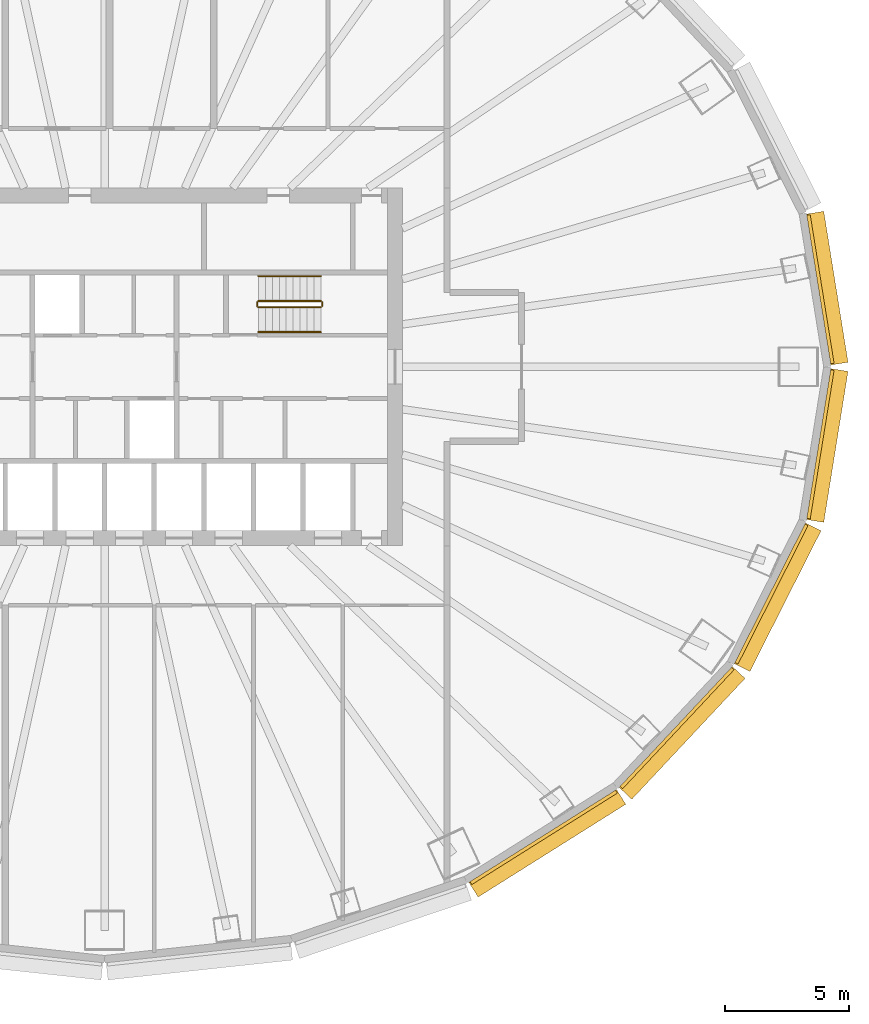
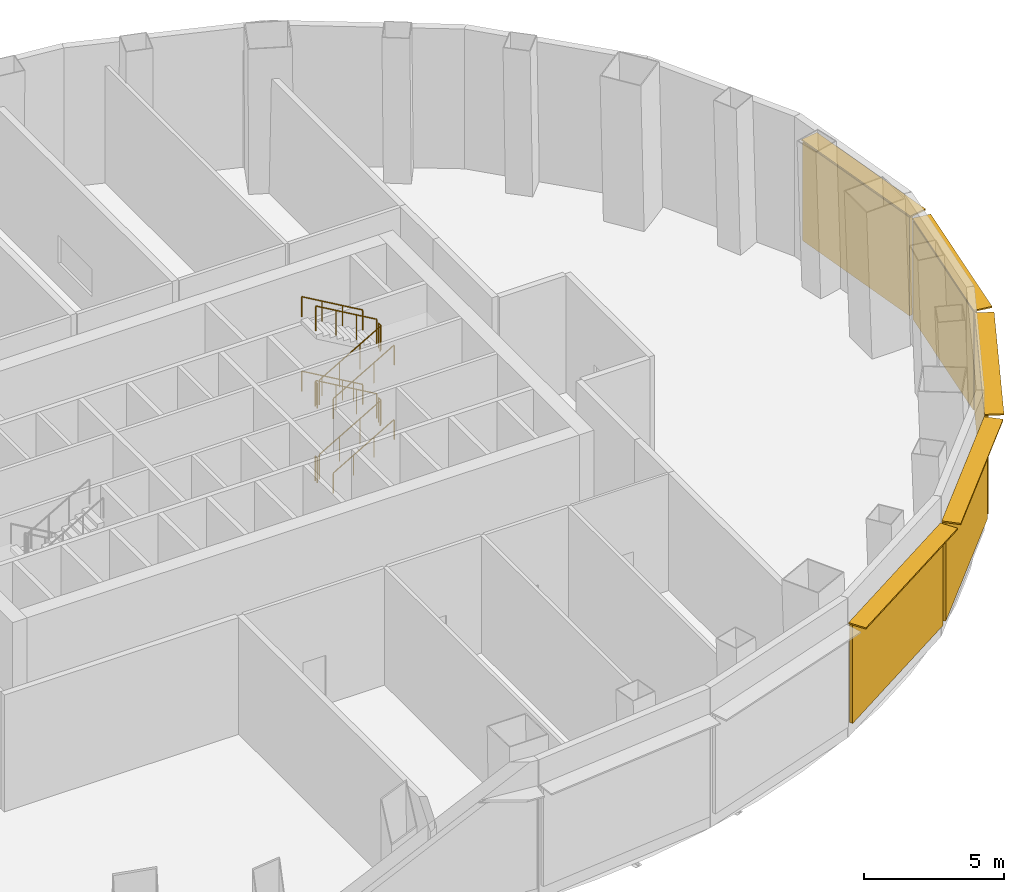
# One storey, part 8 of 9: 12 railings, 10 shading devices.
"""IFC4 building model written with IfcOpenShell, lengths in metres."""

from ifc_helpers import new_model, si_unit, direction, frame, origin, origin_2d, place, context, subcontext, project, spatial, rectangle, circle, extrude, material, layer, layer_set, type_object, element, save


model = new_model("IFC4")

# Units and contexts
model_context = context("Model", 3, precision=1e-05, world=origin(), true_north=direction((0.0, 1.0)))
body_context = subcontext(model_context, "Body", "Model", "MODEL_VIEW")
ifc_project = project(units=[si_unit("LENGTHUNIT", "METRE"), si_unit("AREAUNIT", "SQUARE_METRE"), si_unit("VOLUMEUNIT", "CUBIC_METRE"), si_unit("PLANEANGLEUNIT", "RADIAN"), si_unit("MASSUNIT", "GRAM", prefix="KILO")], contexts=[model_context])

# Site, building, storey
site_placement = place(None, origin())
site = spatial("IfcSite", under=ifc_project, at=site_placement, CompositionType="ELEMENT")
building_placement = place(site_placement, origin())
building = spatial("IfcBuilding", under=site, at=building_placement, Name="Siaravel Broadcast Tower", CompositionType="ELEMENT")
storey_placement = place(building_placement, frame((0.0, 0.0, 13.5)))
storey = spatial("IfcBuildingStorey", under=building, at=storey_placement, Name="L02", CompositionType="ELEMENT", Elevation=13.5)

# Shading devices
ifc_material_1 = material(Name="Bronze anodised aluminium", Category="aluminium")
ifc_layer_1 = layer(ifc_material_1, 0.06005859375)
ifc_layer_set_1 = layer_set([ifc_layer_1], Name="Bronze anodised aluminium")
shading_device_type_1 = type_object("IfcShadingDeviceType", Name="Brise-soleil band", PredefinedType="USERDEFINED", material=ifc_layer_set_1)
shading_device_1_placement = place(storey_placement, frame((29.1201171875, 3.168701171875, 4.929931640625), z_axis=(0.0, 0.0, 1.0), x_axis=(-0.158685394, 0.987329198, 0.0)))
element("IfcShadingDevice", 1, at=shading_device_1_placement, inside=storey, type_object=shading_device_type_1, Name="L02 brise-soleil band 01", ObjectType="SUNSHADE", PredefinedType="USERDEFINED", context=body_context, shape_type="SweptSolid", body=[
    extrude(rectangle(XDim=6.15869140625, YDim=0.699951171875, at=origin_2d()), origin(), (0.0, 0.0, 1.0), 0.06005859375),
])
shading_device_2_placement = place(storey_placement, frame((17.83984375, -19.1962890625, 4.929931640625), z_axis=(0.0, 0.0, 1.0), x_axis=(0.846650436, 0.532149452, 0.0)))
element("IfcShadingDevice", 2, at=shading_device_2_placement, inside=storey, type_object=shading_device_type_1, Name="L02 brise-soleil band 21", ObjectType="SUNSHADE", PredefinedType="USERDEFINED", context=body_context, shape_type="SweptSolid", body=[
    extrude(rectangle(XDim=7.0244140625, YDim=0.699951171875, at=origin_2d()), origin(), (0.0, 0.0, 1.0), 0.06005859375),
])
shading_device_3_placement = place(storey_placement, frame((23.26904296875, -14.748291015625, 4.929931640625), z_axis=(0.0, 0.0, 1.0), x_axis=(0.683655992, 0.729804415, 0.0)))
element("IfcShadingDevice", 3, at=shading_device_3_placement, inside=storey, type_object=shading_device_type_1, Name="L02 brise-soleil band 22", ObjectType="SUNSHADE", PredefinedType="USERDEFINED", context=body_context, shape_type="SweptSolid", body=[
    extrude(rectangle(XDim=6.672119140625, YDim=0.699951171875, at=origin_2d()), origin(), (0.0, 0.0, 1.0), 0.06005859375),
])
shading_device_4_placement = place(storey_placement, frame((27.12060546875, -9.28271484375, 4.929931640625), z_axis=(0.0, 0.0, 1.0), x_axis=(0.451262289, 0.892391364, 0.0)))
element("IfcShadingDevice", 4, at=shading_device_4_placement, inside=storey, type_object=shading_device_type_1, Name="L02 brise-soleil band 23", ObjectType="SUNSHADE", PredefinedType="USERDEFINED", context=body_context, shape_type="SweptSolid", body=[
    extrude(rectangle(XDim=6.351318359375, YDim=0.699951171875, at=origin_2d()), origin(), (0.0, 0.0, 1.0), 0.06005859375),
])
shading_device_5_placement = place(storey_placement, frame((29.1201171875, -3.168701171875, 4.929931640625), z_axis=(0.0, 0.0, 1.0), x_axis=(0.158685394, 0.987329198, 0.0)))
element("IfcShadingDevice", 5, at=shading_device_5_placement, inside=storey, type_object=shading_device_type_1, Name="L02 brise-soleil band 24", ObjectType="SUNSHADE", PredefinedType="USERDEFINED", context=body_context, shape_type="SweptSolid", body=[
    extrude(rectangle(XDim=6.15869140625, YDim=0.699951171875, at=origin_2d()), origin(), (0.0, 0.0, 1.0), 0.06005859375),
])
ifc_material_2 = material(Name="Precast concrete C40/50", Category="concrete")
ifc_layer_2 = layer(ifc_material_2, 0.139892578125)
ifc_layer_set_2 = layer_set([ifc_layer_2], Name="Precast concrete C40/50")
shading_device_type_2 = type_object("IfcShadingDeviceType", Name="Cobogo screen", PredefinedType="USERDEFINED", material=ifc_layer_set_2)
shading_device_6_placement = place(storey_placement, frame((28.843505859375, 3.124267578125, 0.60009765625), z_axis=(0.0, 0.0, 1.0), x_axis=(-0.158685394, 0.987329198, 0.0)))
element("IfcShadingDevice", 6, at=shading_device_6_placement, inside=storey, type_object=shading_device_type_2, Name="L02 cobogo screen 01", ObjectType="SCREEN", PredefinedType="USERDEFINED", context=body_context, shape_type="SweptSolid", body=[
    extrude(rectangle(XDim=6.058837890625, YDim=0.139892578125, at=origin_2d()), origin(), (0.0, 0.0, 1.0), 4.300048828125),
])
shading_device_7_placement = place(storey_placement, frame((17.69091796875, -18.958984375, 0.60009765625), z_axis=(0.0, 0.0, 1.0), x_axis=(0.846650436, 0.532149452, 0.0)))
element("IfcShadingDevice", 7, at=shading_device_7_placement, inside=storey, type_object=shading_device_type_2, Name="L02 cobogo screen 21", ObjectType="SCREEN", PredefinedType="USERDEFINED", context=body_context, shape_type="SweptSolid", body=[
    extrude(rectangle(XDim=6.924560546875, YDim=0.139892578125, at=origin_2d()), origin(), (0.0, 0.0, 1.0), 4.300048828125),
])
shading_device_8_placement = place(storey_placement, frame((23.064697265625, -14.556884765625, 0.60009765625), z_axis=(0.0, 0.0, 1.0), x_axis=(0.683655992, 0.729804415, 0.0)))
element("IfcShadingDevice", 8, at=shading_device_8_placement, inside=storey, type_object=shading_device_type_2, Name="L02 cobogo screen 22", ObjectType="SCREEN", PredefinedType="USERDEFINED", context=body_context, shape_type="SweptSolid", body=[
    extrude(rectangle(XDim=6.572021484375, YDim=0.139892578125, at=origin_2d()), origin(), (0.0, 0.0, 1.0), 4.300048828125),
])
shading_device_9_placement = place(storey_placement, frame((26.87060546875, -9.156494140625, 0.60009765625), z_axis=(0.0, 0.0, 1.0), x_axis=(0.451262289, 0.892391364, 0.0)))
element("IfcShadingDevice", 9, at=shading_device_9_placement, inside=storey, type_object=shading_device_type_2, Name="L02 cobogo screen 23", ObjectType="SCREEN", PredefinedType="USERDEFINED", context=body_context, shape_type="SweptSolid", body=[
    extrude(rectangle(XDim=6.25146484375, YDim=0.139892578125, at=origin_2d()), origin(), (0.0, 0.0, 1.0), 4.300048828125),
])
shading_device_10_placement = place(storey_placement, frame((28.843505859375, -3.124267578125, 0.60009765625), z_axis=(0.0, 0.0, 1.0), x_axis=(0.158685394, 0.987329198, 0.0)))
element("IfcShadingDevice", 10, at=shading_device_10_placement, inside=storey, type_object=shading_device_type_2, Name="L02 cobogo screen 24", ObjectType="SCREEN", PredefinedType="USERDEFINED", context=body_context, shape_type="SweptSolid", body=[
    extrude(rectangle(XDim=6.058837890625, YDim=0.139892578125, at=origin_2d()), origin(), (0.0, 0.0, 1.0), 4.300048828125),
])

# Railings
ifc_material_3 = material(Name="Stainless steel 316L", Category="steel")
railing_type_1 = type_object("IfcRailingType", Name="Stair guard 1100", PredefinedType="GUARDRAIL", material=ifc_material_3)
railing_1_placement = place(storey_placement, frame((6.199951171875, 2.39990234375, 0.16259765625)))
element("IfcRailing", 11, at=railing_1_placement, inside=storey, type_object=railing_type_1, Name="L02 ST-2 stair guard 1", PredefinedType="GUARDRAIL", context=body_context, shape_type="SweptSolid", body=[
    extrude(circle(Radius=0.02392578125, at=origin_2d()), frame((0.0, 0.0, 1.076171875), z_axis=(0.864913338, 0.0, 0.501921226), x_axis=(0.0, 1.0, 0.0)), (0.0, 0.0, 1.0), 2.91357421875),
    extrude(circle(Radius=0.02099609375, at=origin_2d()), origin(), (0.0, 0.0, 1.0), 1.052001953125),
    extrude(circle(Radius=0.02099609375, at=origin_2d()), frame((0.840087890625, 0.0, 0.487548828125)), (0.0, 0.0, 1.0), 1.052001953125),
    extrude(circle(Radius=0.02099609375, at=origin_2d()), frame((1.679931640625, 0.0, 0.974853515625)), (0.0, 0.0, 1.0), 1.052001953125),
    extrude(circle(Radius=0.02099609375, at=origin_2d()), frame((2.52001953125, 0.0, 1.46240234375)), (0.0, 0.0, 1.0), 1.052001953125),
])
railing_2_placement = place(storey_placement, frame((8.77001953125, 2.449951171875, 1.625)))
element("IfcRailing", 12, at=railing_2_placement, inside=storey, type_object=railing_type_1, Name="L02 ST-2 stair guard 2", PredefinedType="GUARDRAIL", context=body_context, shape_type="SweptSolid", body=[
    extrude(circle(Radius=0.02392578125, at=origin_2d()), frame((0.0, 0.0, 1.076171875), z_axis=(0.0, 1.0, 0.0), x_axis=(-1.0, 0.0, 0.0)), (0.0, 0.0, 1.0), 0.150146484375),
    extrude(circle(Radius=0.02099609375, at=origin_2d()), origin(), (0.0, 0.0, 1.0), 1.052001953125),
    extrude(circle(Radius=0.02099609375, at=origin_2d()), frame((0.0, 0.150146484375, 0.0)), (0.0, 0.0, 1.0), 1.052001953125),
])
railing_3_placement = place(storey_placement, frame((8.719970703125, 2.64990234375, 1.78759765625)))
element("IfcRailing", 13, at=railing_3_placement, inside=storey, type_object=railing_type_1, Name="L02 ST-2 stair guard 3", PredefinedType="GUARDRAIL", context=body_context, shape_type="SweptSolid", body=[
    extrude(circle(Radius=0.02392578125, at=origin_2d()), frame((0.0, 0.0, 1.076171875), z_axis=(-0.864913338, 0.0, 0.501921226), x_axis=(0.0, -1.0, 0.0)), (0.0, 0.0, 1.0), 2.91357421875),
    extrude(circle(Radius=0.02099609375, at=origin_2d()), origin(), (0.0, 0.0, 1.0), 1.052001953125),
    extrude(circle(Radius=0.02099609375, at=origin_2d()), frame((-0.840087890625, 0.0, 0.487548828125)), (0.0, 0.0, 1.0), 1.052001953125),
    extrude(circle(Radius=0.02099609375, at=origin_2d()), frame((-1.679931640625, 0.0, 0.974853515625)), (0.0, 0.0, 1.0), 1.052001953125),
    extrude(circle(Radius=0.02099609375, at=origin_2d()), frame((-2.52001953125, 0.0, 1.46240234375)), (0.0, 0.0, 1.0), 1.052001953125),
])
railing_4_placement = place(storey_placement, frame((6.14990234375, 2.449951171875, 3.25)))
element("IfcRailing", 14, at=railing_4_placement, inside=storey, type_object=railing_type_1, Name="L02 ST-2 stair guard 4", PredefinedType="GUARDRAIL", context=body_context, shape_type="SweptSolid", body=[
    extrude(circle(Radius=0.02392578125, at=origin_2d()), frame((0.0, 0.0, 1.076171875), z_axis=(0.0, 1.0, 0.0), x_axis=(-1.0, 0.0, 0.0)), (0.0, 0.0, 1.0), 0.150146484375),
    extrude(circle(Radius=0.02099609375, at=origin_2d()), origin(), (0.0, 0.0, 1.0), 1.052001953125),
    extrude(circle(Radius=0.02099609375, at=origin_2d()), frame((0.0, 0.150146484375, 0.0)), (0.0, 0.0, 1.0), 1.052001953125),
])
railing_5_placement = place(storey_placement, frame((6.199951171875, 2.39990234375, 3.41259765625)))
element("IfcRailing", 15, at=railing_5_placement, inside=storey, type_object=railing_type_1, Name="L02 ST-2 stair guard 5", PredefinedType="GUARDRAIL", context=body_context, shape_type="SweptSolid", body=[
    extrude(circle(Radius=0.02392578125, at=origin_2d()), frame((0.0, 0.0, 1.076171875), z_axis=(0.864913338, 0.0, 0.501921226), x_axis=(0.0, 1.0, 0.0)), (0.0, 0.0, 1.0), 2.91357421875),
    extrude(circle(Radius=0.02099609375, at=origin_2d()), origin(), (0.0, 0.0, 1.0), 1.052001953125),
    extrude(circle(Radius=0.02099609375, at=origin_2d()), frame((0.840087890625, 0.0, 0.487548828125)), (0.0, 0.0, 1.0), 1.052001953125),
    extrude(circle(Radius=0.02099609375, at=origin_2d()), frame((1.679931640625, 0.0, 0.974853515625)), (0.0, 0.0, 1.0), 1.052001953125),
    extrude(circle(Radius=0.02099609375, at=origin_2d()), frame((2.52001953125, 0.0, 1.46240234375)), (0.0, 0.0, 1.0), 1.052001953125),
])
railing_6_placement = place(storey_placement, frame((8.77001953125, 2.449951171875, 4.875)))
element("IfcRailing", 16, at=railing_6_placement, inside=storey, type_object=railing_type_1, Name="L02 ST-2 stair guard 6", PredefinedType="GUARDRAIL", context=body_context, shape_type="SweptSolid", body=[
    extrude(circle(Radius=0.02392578125, at=origin_2d()), frame((0.0, 0.0, 1.076171875), z_axis=(0.0, 1.0, 0.0), x_axis=(-1.0, 0.0, 0.0)), (0.0, 0.0, 1.0), 0.150146484375),
    extrude(circle(Radius=0.02099609375, at=origin_2d()), origin(), (0.0, 0.0, 1.0), 1.052001953125),
    extrude(circle(Radius=0.02099609375, at=origin_2d()), frame((0.0, 0.150146484375, 0.0)), (0.0, 0.0, 1.0), 1.052001953125),
])
railing_7_placement = place(storey_placement, frame((8.719970703125, 2.64990234375, 5.03759765625)))
element("IfcRailing", 17, at=railing_7_placement, inside=storey, type_object=railing_type_1, Name="L02 ST-2 stair guard 7", PredefinedType="GUARDRAIL", context=body_context, shape_type="SweptSolid", body=[
    extrude(circle(Radius=0.02392578125, at=origin_2d()), frame((0.0, 0.0, 1.076171875), z_axis=(-0.864913338, 0.0, 0.501921226), x_axis=(0.0, -1.0, 0.0)), (0.0, 0.0, 1.0), 2.91357421875),
    extrude(circle(Radius=0.02099609375, at=origin_2d()), origin(), (0.0, 0.0, 1.0), 1.052001953125),
    extrude(circle(Radius=0.02099609375, at=origin_2d()), frame((-0.840087890625, 0.0, 0.487548828125)), (0.0, 0.0, 1.0), 1.052001953125),
    extrude(circle(Radius=0.02099609375, at=origin_2d()), frame((-1.679931640625, 0.0, 0.974853515625)), (0.0, 0.0, 1.0), 1.052001953125),
    extrude(circle(Radius=0.02099609375, at=origin_2d()), frame((-2.52001953125, 0.0, 1.46240234375)), (0.0, 0.0, 1.0), 1.052001953125),
])
railing_8_placement = place(storey_placement, frame((6.14990234375, 2.449951171875, 0.0)))
element("IfcRailing", 18, at=railing_8_placement, inside=storey, type_object=railing_type_1, Name="L02 ST-2 stair guard 8", PredefinedType="GUARDRAIL", context=body_context, shape_type="SweptSolid", body=[
    extrude(circle(Radius=0.02392578125, at=origin_2d()), frame((0.0, 0.0, 1.076171875), z_axis=(0.0, 1.0, 0.0), x_axis=(-1.0, 0.0, 0.0)), (0.0, 0.0, 1.0), 0.150146484375),
    extrude(circle(Radius=0.02099609375, at=origin_2d()), origin(), (0.0, 0.0, 1.0), 1.052001953125),
    extrude(circle(Radius=0.02099609375, at=origin_2d()), frame((0.0, 0.150146484375, 0.0)), (0.0, 0.0, 1.0), 1.052001953125),
])
railing_type_2 = type_object("IfcRailingType", Name="Stair handrail 900", PredefinedType="HANDRAIL", material=ifc_material_3)
railing_9_placement = place(storey_placement, frame((6.199951171875, 1.39990234375, 0.16259765625)))
element("IfcRailing", 19, at=railing_9_placement, inside=storey, type_object=railing_type_2, Name="L02 ST-2 stair handrail 1", PredefinedType="HANDRAIL", context=body_context, shape_type="SweptSolid", body=[
    extrude(circle(Radius=0.02392578125, at=origin_2d()), frame((0.0, 0.0, 0.8759765625), z_axis=(0.864913338, 0.0, 0.501921226), x_axis=(0.0, 1.0, 0.0)), (0.0, 0.0, 1.0), 2.91357421875),
    extrude(circle(Radius=0.02099609375, at=origin_2d()), origin(), (0.0, 0.0, 1.0), 0.851806640625),
    extrude(circle(Radius=0.02099609375, at=origin_2d()), frame((0.840087890625, 0.0, 0.487548828125)), (0.0, 0.0, 1.0), 0.851806640625),
    extrude(circle(Radius=0.02099609375, at=origin_2d()), frame((1.679931640625, 0.0, 0.974853515625)), (0.0, 0.0, 1.0), 0.851806640625),
    extrude(circle(Radius=0.02099609375, at=origin_2d()), frame((2.52001953125, 0.0, 1.46240234375)), (0.0, 0.0, 1.0), 0.851806640625),
])
railing_10_placement = place(storey_placement, frame((8.719970703125, 3.64990234375, 1.78759765625)))
element("IfcRailing", 20, at=railing_10_placement, inside=storey, type_object=railing_type_2, Name="L02 ST-2 stair handrail 2", PredefinedType="HANDRAIL", context=body_context, shape_type="SweptSolid", body=[
    extrude(circle(Radius=0.02392578125, at=origin_2d()), frame((0.0, 0.0, 0.8759765625), z_axis=(-0.864913338, 0.0, 0.501921226), x_axis=(0.0, -1.0, 0.0)), (0.0, 0.0, 1.0), 2.91357421875),
    extrude(circle(Radius=0.02099609375, at=origin_2d()), origin(), (0.0, 0.0, 1.0), 0.851806640625),
    extrude(circle(Radius=0.02099609375, at=origin_2d()), frame((-0.840087890625, 0.0, 0.487548828125)), (0.0, 0.0, 1.0), 0.851806640625),
    extrude(circle(Radius=0.02099609375, at=origin_2d()), frame((-1.679931640625, 0.0, 0.974853515625)), (0.0, 0.0, 1.0), 0.851806640625),
    extrude(circle(Radius=0.02099609375, at=origin_2d()), frame((-2.52001953125, 0.0, 1.46240234375)), (0.0, 0.0, 1.0), 0.851806640625),
])
railing_11_placement = place(storey_placement, frame((6.199951171875, 1.39990234375, 3.41259765625)))
element("IfcRailing", 21, at=railing_11_placement, inside=storey, type_object=railing_type_2, Name="L02 ST-2 stair handrail 3", PredefinedType="HANDRAIL", context=body_context, shape_type="SweptSolid", body=[
    extrude(circle(Radius=0.02392578125, at=origin_2d()), frame((0.0, 0.0, 0.8759765625), z_axis=(0.864913338, 0.0, 0.501921226), x_axis=(0.0, 1.0, 0.0)), (0.0, 0.0, 1.0), 2.91357421875),
    extrude(circle(Radius=0.02099609375, at=origin_2d()), origin(), (0.0, 0.0, 1.0), 0.851806640625),
    extrude(circle(Radius=0.02099609375, at=origin_2d()), frame((0.840087890625, 0.0, 0.487548828125)), (0.0, 0.0, 1.0), 0.851806640625),
    extrude(circle(Radius=0.02099609375, at=origin_2d()), frame((1.679931640625, 0.0, 0.974853515625)), (0.0, 0.0, 1.0), 0.851806640625),
    extrude(circle(Radius=0.02099609375, at=origin_2d()), frame((2.52001953125, 0.0, 1.46240234375)), (0.0, 0.0, 1.0), 0.851806640625),
])
railing_12_placement = place(storey_placement, frame((8.719970703125, 3.64990234375, 5.03759765625)))
element("IfcRailing", 22, at=railing_12_placement, inside=storey, type_object=railing_type_2, Name="L02 ST-2 stair handrail 4", PredefinedType="HANDRAIL", context=body_context, shape_type="SweptSolid", body=[
    extrude(circle(Radius=0.02392578125, at=origin_2d()), frame((0.0, 0.0, 0.8759765625), z_axis=(-0.864913338, 0.0, 0.501921226), x_axis=(0.0, -1.0, 0.0)), (0.0, 0.0, 1.0), 2.91357421875),
    extrude(circle(Radius=0.02099609375, at=origin_2d()), origin(), (0.0, 0.0, 1.0), 0.851806640625),
    extrude(circle(Radius=0.02099609375, at=origin_2d()), frame((-0.840087890625, 0.0, 0.487548828125)), (0.0, 0.0, 1.0), 0.851806640625),
    extrude(circle(Radius=0.02099609375, at=origin_2d()), frame((-1.679931640625, 0.0, 0.974853515625)), (0.0, 0.0, 1.0), 0.851806640625),
    extrude(circle(Radius=0.02099609375, at=origin_2d()), frame((-2.52001953125, 0.0, 1.46240234375)), (0.0, 0.0, 1.0), 0.851806640625),
])

save(model, "model.ifc")
